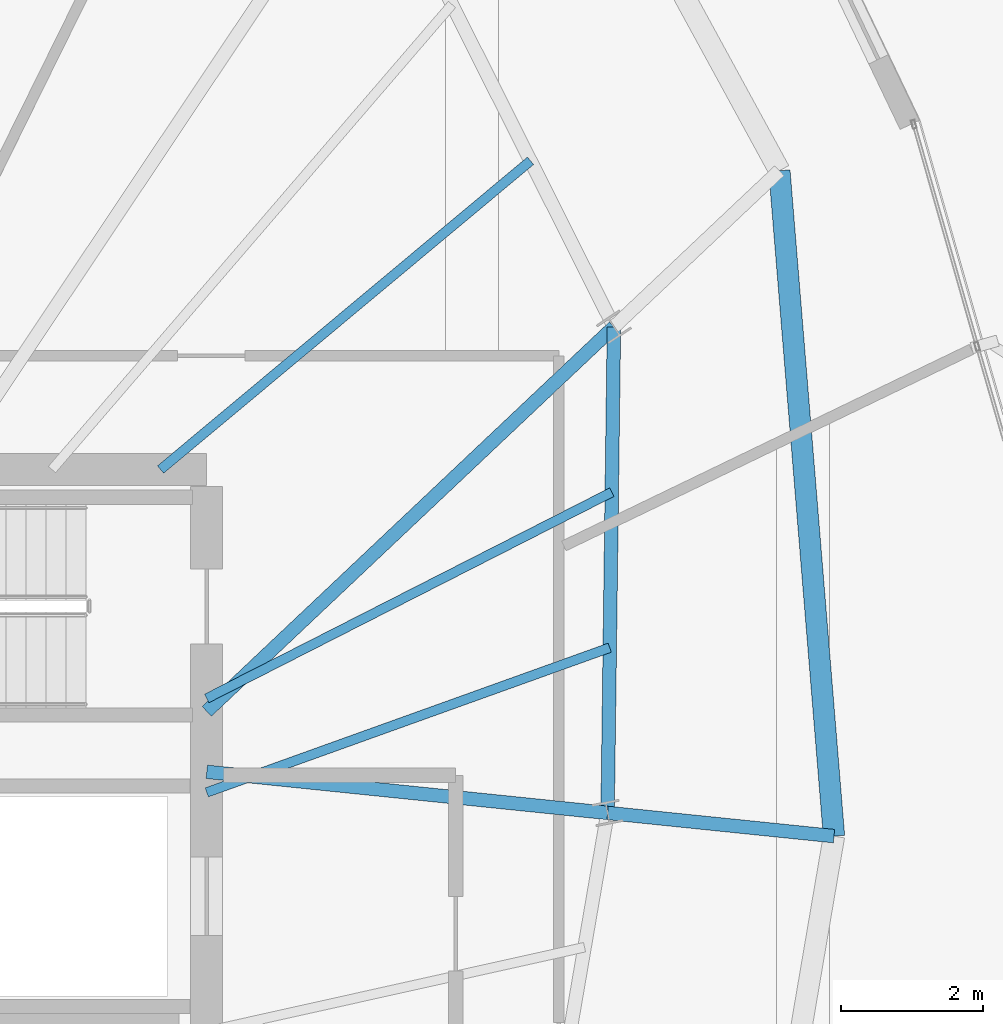
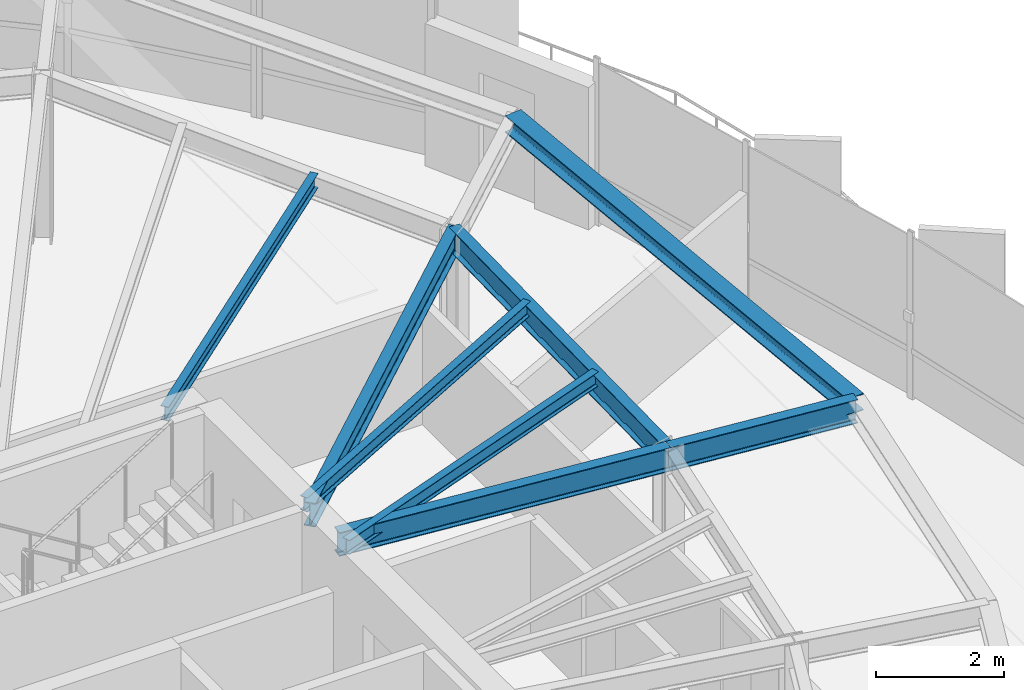
# One storey, part 16 of 34: 8 beams.
"""IFC4 building model written with IfcOpenShell, lengths in metres."""

from ifc_helpers import new_model, si_unit, direction, frame, origin, origin_2d, place, context, subcontext, project, spatial, i_section, extrude, source, transform, mapped, material, material_profile, profile_set, type_object, element, save


model = new_model("IFC4")

# Units and contexts
model_context = context("Model", 3, precision=1e-05, world=origin(), true_north=direction((0.0, 1.0)))
body_context = subcontext(model_context, "Body", "Model", "MODEL_VIEW")
ifc_project = project(units=[si_unit("LENGTHUNIT", "METRE"), si_unit("AREAUNIT", "SQUARE_METRE"), si_unit("VOLUMEUNIT", "CUBIC_METRE"), si_unit("PLANEANGLEUNIT", "RADIAN"), si_unit("MASSUNIT", "GRAM", prefix="KILO"), si_unit("THERMODYNAMICTEMPERATUREUNIT", "KELVIN")], contexts=[model_context])

# Site, building, storey
site_placement = place(None, origin())
site = spatial("IfcSite", under=ifc_project, at=site_placement, CompositionType="ELEMENT")
building_placement = place(site_placement, origin())
building = spatial("IfcBuilding", under=site, at=building_placement, Name="Kethvar Cultural Tower", CompositionType="ELEMENT")
storey_placement = place(building_placement, frame((0.0, 0.0, 231.85009765625)))
storey = spatial("IfcBuildingStorey", under=building, at=storey_placement, Name="L60", CompositionType="ELEMENT", Elevation=231.85009765625)

# Beams
ifc_material = material(Name="Steel S355J2", Category="steel")
ifc_material_profile_1 = material_profile(ifc_material, i_section(OverallWidth=0.18994140625, OverallDepth=0.449951171875, WebThickness=0.009521484375, FlangeThickness=0.0146484375, FilletRadius=0.02099609375, at=origin_2d()), Name="Steel S355J2 — IPE450")
ifc_profile_set_1 = profile_set([ifc_material_profile_1], Name="Steel S355J2 — IPE450")
beam_type_1 = type_object("IfcBeamType", Name="BM-IPE450", PredefinedType="BEAM", material=ifc_profile_set_1)
shared_shape_1 = source(origin(), body_context, "Body", "SweptSolid", [
    extrude(i_section(OverallWidth=0.18994140625, OverallDepth=0.449951171875, WebThickness=0.009521484375, FlangeThickness=0.0146484375, FilletRadius=0.02099609375, at=origin_2d()), origin(), (0.0, 0.0, 1.0), 5.66650390625),
])
beam_1_placement = place(storey_placement, frame((55.60009765625, 31.25, 2.98291015625), z_axis=(0.994777513459, -0.102067128476, 0.0), x_axis=(0.102067128476, 0.994777513459, 0.0)))
element("IfcBeam", 1, at=beam_1_placement, inside=storey, type_object=beam_type_1, Name="L60 Primary Radial Beam RB-01", PredefinedType="BEAM", context=body_context, shape_type="MappedRepresentation", body=[
    mapped(shared_shape_1, transform((0.0, 0.0, 0.0), scale=1.0)),
])
shared_shape_2 = source(origin(), body_context, "Body", "SweptSolid", [
    extrude(i_section(OverallWidth=0.18994140625, OverallDepth=0.449951171875, WebThickness=0.009521484375, FlangeThickness=0.0146484375, FilletRadius=0.02099609375, at=origin_2d()), origin(), (0.0, 0.0, 1.0), 3.199951171875),
])
beam_2_placement = place(storey_placement, frame((61.237060546875, 30.671630859375, 2.98291015625), z_axis=(0.994784019447, -0.10200369921, 0.0), x_axis=(0.10200369921, 0.994784019447, 0.0)))
element("IfcBeam", 2, at=beam_2_placement, inside=storey, type_object=beam_type_1, Name="L60 Perimeter Cantilever Beam RC-01", PredefinedType="BEAM", context=body_context, shape_type="MappedRepresentation", body=[
    mapped(shared_shape_2, transform((0.0, 0.0, 0.0), scale=1.0)),
])
shared_shape_3 = source(origin(), body_context, "Body", "SweptSolid", [
    extrude(i_section(OverallWidth=0.18994140625, OverallDepth=0.449951171875, WebThickness=0.009521484375, FlangeThickness=0.0146484375, FilletRadius=0.02099609375, at=origin_2d()), origin(), (0.0, 0.0, 1.0), 7.874267578125),
])
beam_3_placement = place(storey_placement, frame((55.60009765625, 32.10009765625, 2.98291015625), z_axis=(0.727123202456, 0.686506990823, 0.0), x_axis=(-0.686506990823, 0.727123202456, 0.0)))
element("IfcBeam", 3, at=beam_3_placement, inside=storey, type_object=beam_type_1, Name="L60 Primary Radial Beam RB-02", PredefinedType="BEAM", context=body_context, shape_type="MappedRepresentation", body=[
    mapped(shared_shape_3, transform((0.0, 0.0, 0.0), scale=1.0)),
])
shared_shape_4 = source(origin(), body_context, "Body", "SweptSolid", [
    extrude(i_section(OverallWidth=0.18994140625, OverallDepth=0.449951171875, WebThickness=0.009521484375, FlangeThickness=0.0146484375, FilletRadius=0.02099609375, at=origin_2d()), origin(), (0.0, 0.0, 1.0), 6.834716796875),
])
beam_4_placement = place(storey_placement, frame((61.237060546875, 30.671630859375, 2.98291015625), z_axis=(0.012966437445, 0.999915932216, 0.0), x_axis=(-0.999915932216, 0.012966437445, 0.0)))
element("IfcBeam", 4, at=beam_4_placement, inside=storey, type_object=beam_type_1, Name="L60 Column Ring Tie Beam CR-01", PredefinedType="BEAM", context=body_context, shape_type="MappedRepresentation", body=[
    mapped(shared_shape_4, transform((0.0, 0.0, 0.0), scale=1.0)),
])
ifc_material_profile_2 = material_profile(ifc_material, i_section(OverallWidth=0.300048828125, OverallDepth=0.320068359375, WebThickness=0.011474609375, FlangeThickness=0.0205078125, FilletRadius=0.027099609375, at=origin_2d()), Name="Steel S355J2 — HEB320")
ifc_profile_set_2 = profile_set([ifc_material_profile_2], Name="Steel S355J2 — HEB320")
beam_type_2 = type_object("IfcBeamType", Name="BM-SP320", PredefinedType="SPANDREL", material=ifc_profile_set_2)
shared_shape_5 = source(origin(), body_context, "Body", "SweptSolid", [
    extrude(i_section(OverallWidth=0.300048828125, OverallDepth=0.320068359375, WebThickness=0.011474609375, FlangeThickness=0.0205078125, FilletRadius=0.027099609375, at=origin_2d()), origin(), (0.0, 0.0, 1.0), 9.388916015625),
])
beam_5_placement = place(storey_placement, frame((64.42041015625, 30.34521484375, 3.0478515625), z_axis=(-0.08178004371, 0.996650402323, 0.0), x_axis=(-0.996650402323, -0.08178004371, 0.0)))
element("IfcBeam", 5, at=beam_5_placement, inside=storey, type_object=beam_type_2, Name="L60 Perimeter Spandrel Beam SP-01", PredefinedType="SPANDREL", context=body_context, shape_type="MappedRepresentation", body=[
    mapped(shared_shape_5, transform((0.0, 0.0, 0.0), scale=1.0)),
])
ifc_material_profile_3 = material_profile(ifc_material, i_section(OverallWidth=0.135009765625, OverallDepth=0.27001953125, WebThickness=0.006591796875, FlangeThickness=0.01025390625, FilletRadius=0.014892578125, at=origin_2d()), Name="Steel S355J2 — IPE270")
ifc_profile_set_3 = profile_set([ifc_material_profile_3], Name="Steel S355J2 — IPE270")
beam_type_3 = type_object("IfcBeamType", Name="BM-J270", PredefinedType="JOIST", material=ifc_profile_set_3)
shared_shape_6 = source(origin(), body_context, "Body", "SweptSolid", [
    extrude(i_section(OverallWidth=0.135009765625, OverallDepth=0.27001953125, WebThickness=0.006591796875, FlangeThickness=0.01025390625, FilletRadius=0.014892578125, at=origin_2d()), origin(), (0.0, 0.0, 1.0), 6.021240234375),
])
beam_6_placement = place(storey_placement, frame((55.60009765625, 30.960205078125, 3.072998046875), z_axis=(0.94114970072, 0.337990001086, 0.0), x_axis=(-0.337990001086, 0.94114970072, 0.0)))
element("IfcBeam", 6, at=beam_6_placement, inside=storey, type_object=beam_type_3, Name="L60 Composite Floor Joist J-01A", PredefinedType="JOIST", context=body_context, shape_type="MappedRepresentation", body=[
    mapped(shared_shape_6, transform((0.0, 0.0, 0.0), scale=1.0)),
])
shared_shape_7 = source(origin(), body_context, "Body", "SweptSolid", [
    extrude(i_section(OverallWidth=0.135009765625, OverallDepth=0.27001953125, WebThickness=0.006591796875, FlangeThickness=0.01025390625, FilletRadius=0.014892578125, at=origin_2d()), origin(), (0.0, 0.0, 1.0), 6.3916015625),
])
beam_7_placement = place(storey_placement, frame((55.60009765625, 32.281494140625, 3.072998046875), z_axis=(0.891094874615, 0.453817060538, 0.0), x_axis=(-0.453817060538, 0.891094874615, 0.0)))
element("IfcBeam", 7, at=beam_7_placement, inside=storey, type_object=beam_type_3, Name="L60 Composite Floor Joist J-01B", PredefinedType="JOIST", context=body_context, shape_type="MappedRepresentation", body=[
    mapped(shared_shape_7, transform((0.0, 0.0, 0.0), scale=1.0)),
])
shared_shape_8 = source(origin(), body_context, "Body", "SweptSolid", [
    extrude(i_section(OverallWidth=0.135009765625, OverallDepth=0.27001953125, WebThickness=0.006591796875, FlangeThickness=0.01025390625, FilletRadius=0.014892578125, at=origin_2d()), origin(), (0.0, 0.0, 1.0), 6.776123046875),
])
beam_8_placement = place(storey_placement, frame((54.949951171875, 35.5, 3.072998046875), z_axis=(0.767801747857, 0.6406875026, 0.0), x_axis=(-0.6406875026, 0.767801747857, 0.0)))
element("IfcBeam", 8, at=beam_8_placement, inside=storey, type_object=beam_type_3, Name="L60 Composite Floor Joist J-02A", PredefinedType="JOIST", context=body_context, shape_type="MappedRepresentation", body=[
    mapped(shared_shape_8, transform((0.0, 0.0, 0.0), scale=1.0)),
])

save(model, "model.ifc")
